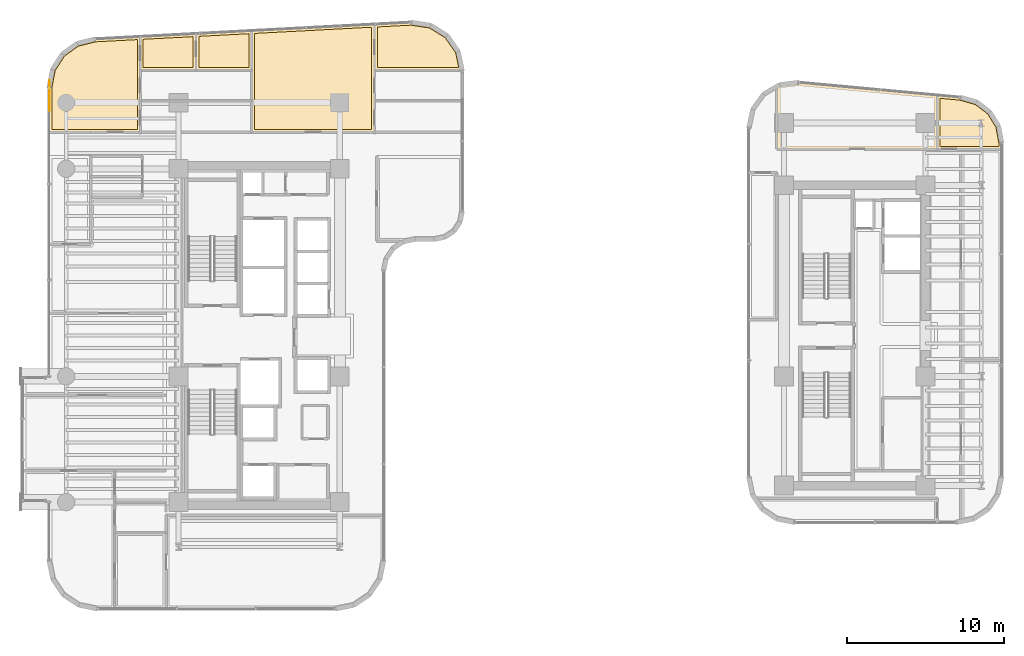
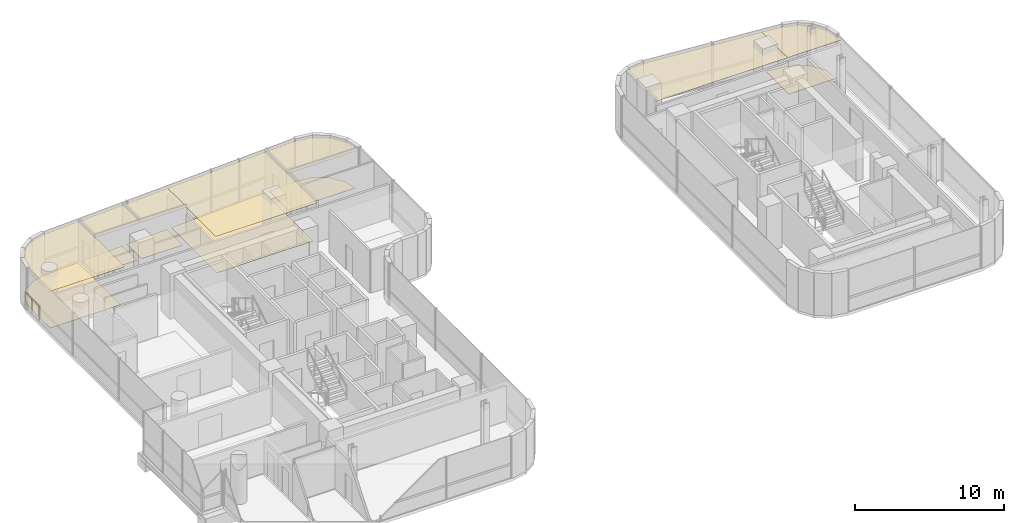
# One storey, part 34 of 34: 13 coverings, 1 railing.
"""IFC4 building model written with IfcOpenShell, lengths in metres."""

from ifc_helpers import new_model, si_unit, direction, frame, origin, origin_2d, place, context, subcontext, project, spatial, polyline, circle, outline, extrude, material, layer, layer_set, type_object, element, save


model = new_model("IFC4")

# Units and contexts
model_context = context("Model", 3, precision=1e-05, world=origin(), true_north=direction((0.0, 1.0)))
body_context = subcontext(model_context, "Body", "Model", "MODEL_VIEW")
ifc_project = project(units=[si_unit("LENGTHUNIT", "METRE"), si_unit("AREAUNIT", "SQUARE_METRE"), si_unit("VOLUMEUNIT", "CUBIC_METRE"), si_unit("PLANEANGLEUNIT", "RADIAN"), si_unit("MASSUNIT", "GRAM", prefix="KILO")], contexts=[model_context])

# Site, building, storey
site_placement = place(None, origin())
site = spatial("IfcSite", under=ifc_project, at=site_placement, CompositionType="ELEMENT")
building_placement = place(site_placement, origin())
building = spatial("IfcBuilding", under=site, at=building_placement, Name="Valdorenza Pilgrim Sanctuary Tower", CompositionType="ELEMENT")
storey_placement = place(building_placement, frame((0.0, 0.0, 164.89990234375)))
storey = spatial("IfcBuildingStorey", under=building, at=storey_placement, Name="L42", CompositionType="ELEMENT", Elevation=164.89990234375)

# Coverings
ifc_material_1 = material(Name="Micro-perforated acoustic mineral ceiling tile", Category="gypsum")
ifc_layer_1 = layer(ifc_material_1, 0.02490234375, Name="Micro-perforated acoustic mineral ceiling tile")
ifc_layer_set_1 = layer_set([ifc_layer_1], Name="Micro-perforated acoustic mineral ceiling tile")
covering_type_1 = type_object("IfcCoveringType", Name="COV-CLG-ACU", PredefinedType="CEILING", material=ifc_layer_set_1)
covering_1_placement = place(storey_placement, frame((0.0, 0.0, 3.16015625)))
element("IfcCovering", 1, at=covering_1_placement, inside=storey, type_object=covering_type_1, Name="L42 North Family Flat L42-N1 Bedroom 1 Acoustic Ceiling", PredefinedType="CEILING", context=body_context, shape_type="SweptSolid", body=[
    extrude(outline(polyline([(-25.0849609375, 16.85498046875), (-25.08642578125, 16.85498046875), (-25.087890625, 16.855224609375), (-25.08935546875, 16.855712890625), (-25.0908203125, 16.856201171875), (-25.092041015625, 16.856689453125), (-25.09326171875, 16.857421875), (-25.094482421875, 16.8583984375), (-25.095703125, 16.859375), (-25.0966796875, 16.860595703125), (-25.097412109375, 16.86181640625), (-25.09814453125, 16.86279296875), (-25.098876953125, 16.8642578125), (-25.099365234375, 16.865478515625), (-25.099609375, 16.8671875), (-25.099853515625, 16.868408203125), (-25.10009765625, 16.8701171875), (-25.10009765625, 19.002197265625), (-25.099853515625, 19.00390625), (-25.099609375, 19.00537109375), (-25.099365234375, 19.0068359375), (-25.098876953125, 19.00830078125), (-25.09814453125, 19.009521484375), (-25.097412109375, 19.010986328125), (-25.096435546875, 19.01220703125), (-25.09521484375, 19.01318359375), (-25.09423828125, 19.01416015625), (-25.093017578125, 19.014892578125), (-25.091552734375, 19.015869140625), (-25.090087890625, 19.016357421875), (-25.0888671875, 19.016845703125), (-25.08740234375, 19.01708984375), (-25.085693359375, 19.017333984375), (-21.543212890625, 19.204345703125), (-21.5419921875, 19.204345703125), (-21.540283203125, 19.204345703125), (-21.5390625, 19.2041015625), (-21.53759765625, 19.20361328125), (-21.536376953125, 19.203125), (-21.534912109375, 19.202392578125), (-21.53369140625, 19.20166015625), (-21.53271484375, 19.20068359375), (-21.53173828125, 19.19970703125), (-21.53076171875, 19.19873046875), (-21.52978515625, 19.197509765625), (-21.529296875, 19.1962890625), (-21.528564453125, 19.195068359375), (-21.528076171875, 19.193603515625), (-21.52783203125, 19.1923828125), (-21.527587890625, 19.19091796875), (-21.527587890625, 19.189453125), (-21.527587890625, 16.8701171875), (-21.527587890625, 16.868408203125), (-21.52783203125, 16.8671875), (-21.528076171875, 16.865478515625), (-21.528564453125, 16.8642578125), (-21.529296875, 16.86279296875), (-21.530029296875, 16.86181640625), (-21.531005859375, 16.860595703125), (-21.531982421875, 16.859375), (-21.532958984375, 16.8583984375), (-21.5341796875, 16.857421875), (-21.535400390625, 16.856689453125), (-21.536865234375, 16.856201171875), (-21.5380859375, 16.855712890625), (-21.53955078125, 16.855224609375), (-21.541015625, 16.85498046875), (-21.54248046875, 16.85498046875), (-25.0849609375, 16.85498046875)])), origin(), (0.0, 0.0, 1.0), 0.02490234375),
])
covering_2_placement = place(storey_placement, frame((0.0, 0.0, 3.16015625)))
element("IfcCovering", 2, at=covering_2_placement, inside=storey, type_object=covering_type_1, Name="L42 North Family Flat L42-N1 Bedroom 2 Acoustic Ceiling", PredefinedType="CEILING", context=body_context, shape_type="SweptSolid", body=[
    extrude(outline(polyline([(-21.555419921875, 19.189453125), (-21.555419921875, 19.190185546875), (-21.555419921875, 19.19189453125), (-21.55517578125, 19.193115234375), (-21.5546875, 19.194580078125), (-21.55419921875, 19.196044921875), (-21.553466796875, 19.197265625), (-21.552490234375, 19.198486328125), (-21.551513671875, 19.19970703125), (-21.550537109375, 19.20068359375), (-21.549560546875, 19.20166015625), (-21.548095703125, 19.202392578125), (-21.547119140625, 19.203125), (-21.545654296875, 19.20361328125), (-21.544189453125, 19.2041015625), (-21.542724609375, 19.204345703125), (-21.541259765625, 19.20458984375), (-18.0009765625, 19.3916015625), (-18.0, 19.3916015625), (-18.0, 19.3916015625), (-17.99853515625, 19.3916015625), (-17.9970703125, 19.391357421875), (-17.99560546875, 19.39111328125), (-17.994384765625, 19.390380859375), (-17.992919921875, 19.389892578125), (-17.99169921875, 19.38916015625), (-17.990478515625, 19.38818359375), (-17.989501953125, 19.38720703125), (-17.98828125, 19.385986328125), (-17.987548828125, 19.385009765625), (-17.98681640625, 19.3837890625), (-17.986083984375, 19.38232421875), (-17.985595703125, 19.381103515625), (-17.9853515625, 19.37939453125), (-17.985107421875, 19.378173828125), (-17.985107421875, 19.376708984375), (-17.985107421875, 16.8701171875), (-17.985107421875, 16.868408203125), (-17.9853515625, 16.8671875), (-17.985595703125, 16.865478515625), (-17.986083984375, 16.8642578125), (-17.98681640625, 16.86279296875), (-17.987548828125, 16.86181640625), (-17.98828125, 16.860595703125), (-17.989501953125, 16.859375), (-17.990478515625, 16.8583984375), (-17.99169921875, 16.857421875), (-17.992919921875, 16.856689453125), (-17.994384765625, 16.856201171875), (-17.99560546875, 16.855712890625), (-17.9970703125, 16.855224609375), (-17.99853515625, 16.85498046875), (-18.0, 16.85498046875), (-21.54052734375, 16.85498046875), (-21.5419921875, 16.85498046875), (-21.54345703125, 16.855224609375), (-21.544921875, 16.855712890625), (-21.546142578125, 16.856201171875), (-21.547607421875, 16.856689453125), (-21.548828125, 16.857421875), (-21.550048828125, 16.8583984375), (-21.551025390625, 16.859375), (-21.552001953125, 16.860595703125), (-21.552978515625, 16.86181640625), (-21.5537109375, 16.86279296875), (-21.554443359375, 16.8642578125), (-21.554931640625, 16.865478515625), (-21.55517578125, 16.8671875), (-21.555419921875, 16.868408203125), (-21.555419921875, 16.8701171875), (-21.555419921875, 19.189453125), (-21.555419921875, 19.189453125)])), origin(), (0.0, 0.0, 1.0), 0.02490234375),
])
covering_3_placement = place(storey_placement, frame((0.0, 0.0, 3.16015625)))
element("IfcCovering", 3, at=covering_3_placement, inside=storey, type_object=covering_type_1, Name="L42 North Family Flat L42-N1 Living Room Acoustic Ceiling", PredefinedType="CEILING", context=body_context, shape_type="SweptSolid", body=[
    extrude(outline(polyline([(-30.889892578125, 12.905029296875), (-30.8916015625, 12.905029296875), (-30.892822265625, 12.9052734375), (-30.894287109375, 12.905517578125), (-30.895751953125, 12.906005859375), (-30.897216796875, 12.90673828125), (-30.898193359375, 12.907470703125), (-30.8994140625, 12.908447265625), (-30.900634765625, 12.909423828125), (-30.901611328125, 12.910400390625), (-30.902587890625, 12.91162109375), (-30.9033203125, 12.912841796875), (-30.90380859375, 12.914306640625), (-30.904296875, 12.91552734375), (-30.90478515625, 12.9169921875), (-30.90478515625, 12.91845703125), (-30.905029296875, 12.919921875), (-30.905029296875, 15.754150390625), (-30.90478515625, 15.755615234375), (-30.90478515625, 15.757080078125), (-30.68310546875, 16.911376953125), (-30.6826171875, 16.912841796875), (-30.68212890625, 16.914306640625), (-30.681640625, 16.91552734375), (-30.680908203125, 16.916748046875), (-30.052978515625, 17.897705078125), (-30.05224609375, 17.89892578125), (-30.05126953125, 17.89990234375), (-30.05029296875, 17.90087890625), (-30.04931640625, 17.90185546875), (-29.102294921875, 18.580810546875), (-29.101318359375, 18.58154296875), (-29.10009765625, 18.58203125), (-29.0986328125, 18.58251953125), (-29.097412109375, 18.5830078125), (-27.9560546875, 18.865478515625), (-27.954833984375, 18.865478515625), (-27.953369140625, 18.86572265625), (-25.087890625, 19.01708984375), (-25.08642578125, 19.01708984375), (-25.0849609375, 19.01708984375), (-25.08349609375, 19.016845703125), (-25.082275390625, 19.016357421875), (-25.080810546875, 19.015869140625), (-25.07958984375, 19.01513671875), (-25.078369140625, 19.014404296875), (-25.0771484375, 19.013671875), (-25.076171875, 19.0126953125), (-25.0751953125, 19.011474609375), (-25.074462890625, 19.01025390625), (-25.07373046875, 19.009033203125), (-25.072998046875, 19.0078125), (-25.072509765625, 19.00634765625), (-25.072265625, 19.0048828125), (-25.072021484375, 19.003662109375), (-25.072021484375, 19.002197265625), (-25.072021484375, 16.87548828125), (-25.07177734375, 16.875), (-25.071044921875, 16.87353515625), (-25.070556640625, 16.872314453125), (-25.0703125, 16.870849609375), (-25.070068359375, 16.869384765625), (-25.070068359375, 16.867919921875), (-25.070068359375, 12.919921875), (-25.070068359375, 12.91845703125), (-25.0703125, 12.9169921875), (-25.070556640625, 12.91552734375), (-25.071044921875, 12.914306640625), (-25.07177734375, 12.912841796875), (-25.072509765625, 12.91162109375), (-25.073486328125, 12.910400390625), (-25.074462890625, 12.909423828125), (-25.075439453125, 12.908447265625), (-25.07666015625, 12.907470703125), (-25.077880859375, 12.90673828125), (-25.079345703125, 12.906005859375), (-25.08056640625, 12.905517578125), (-25.08203125, 12.9052734375), (-25.08349609375, 12.905029296875), (-25.0849609375, 12.905029296875), (-30.889892578125, 12.905029296875)])), origin(), (0.0, 0.0, 1.0), 0.02490234375),
])
covering_4_placement = place(storey_placement, frame((0.0, 0.0, 3.16015625)))
element("IfcCovering", 4, at=covering_4_placement, inside=storey, type_object=covering_type_1, Name="L42 North Family Flat L42-N2 Bedroom Acoustic Ceiling", PredefinedType="CEILING", context=body_context, shape_type="SweptSolid", body=[
    extrude(outline(polyline([(-10.20556640625, 19.789306640625), (-10.20556640625, 19.790771484375), (-10.205322265625, 19.792236328125), (-10.204833984375, 19.793701171875), (-10.204345703125, 19.795166015625), (-10.20361328125, 19.79638671875), (-10.202880859375, 19.797607421875), (-10.201904296875, 19.798828125), (-10.200927734375, 19.800048828125), (-10.19970703125, 19.801025390625), (-10.198486328125, 19.802001953125), (-10.197265625, 19.802490234375), (-10.19580078125, 19.80322265625), (-10.1943359375, 19.8037109375), (-10.19287109375, 19.803955078125), (-10.19140625, 19.80419921875), (-7.875, 19.926513671875), (-7.87353515625, 19.926513671875), (-7.871826171875, 19.926513671875), (-6.6298828125, 19.738525390625), (-6.62841796875, 19.73828125), (-6.627197265625, 19.73779296875), (-6.625732421875, 19.737060546875), (-6.624267578125, 19.736328125), (-5.567138671875, 19.079345703125), (-5.56591796875, 19.07861328125), (-5.564697265625, 19.077392578125), (-5.563720703125, 19.076416015625), (-5.562744140625, 19.0751953125), (-4.850830078125, 18.05419921875), (-4.85009765625, 18.052978515625), (-4.849365234375, 18.051513671875), (-4.848876953125, 18.05029296875), (-4.848388671875, 18.048583984375), (-4.606689453125, 16.873046875), (-4.606201171875, 16.87158203125), (-4.606201171875, 16.8701171875), (-4.606201171875, 16.86865234375), (-4.6064453125, 16.8671875), (-4.60693359375, 16.86572265625), (-4.607421875, 16.8642578125), (-4.60791015625, 16.863037109375), (-4.60888671875, 16.86181640625), (-4.609619140625, 16.860595703125), (-4.610595703125, 16.859375), (-4.61181640625, 16.8583984375), (-4.61279296875, 16.857421875), (-4.6142578125, 16.856689453125), (-4.615478515625, 16.856201171875), (-4.616943359375, 16.855712890625), (-4.618408203125, 16.855224609375), (-4.619873046875, 16.85498046875), (-4.621337890625, 16.85498046875), (-10.190673828125, 16.85498046875), (-10.192138671875, 16.85498046875), (-10.193603515625, 16.855224609375), (-10.195068359375, 16.855712890625), (-10.1962890625, 16.856201171875), (-10.19775390625, 16.856689453125), (-10.198974609375, 16.857421875), (-10.2001953125, 16.8583984375), (-10.201171875, 16.859375), (-10.2021484375, 16.860595703125), (-10.203125, 16.86181640625), (-10.203857421875, 16.86279296875), (-10.20458984375, 16.8642578125), (-10.205078125, 16.865478515625), (-10.205322265625, 16.8671875), (-10.20556640625, 16.868408203125), (-10.20556640625, 16.8701171875), (-10.20556640625, 19.789306640625)])), origin(), (0.0, 0.0, 1.0), 0.02490234375),
])
covering_5_placement = place(storey_placement, frame((0.0, 0.0, 3.16015625)))
element("IfcCovering", 5, at=covering_5_placement, inside=storey, type_object=covering_type_1, Name="L42 North Family Flat L42-N2 Living Room Acoustic Ceiling", PredefinedType="CEILING", context=body_context, shape_type="SweptSolid", body=[
    extrude(outline(polyline([(-18.012939453125, 14.918212890625), (-18.01318359375, 14.9189453125), (-18.01318359375, 14.92041015625), (-18.01318359375, 14.922119140625), (-18.01318359375, 14.923583984375), (-18.012939453125, 14.923828125), (-18.012939453125, 16.8662109375), (-18.01318359375, 16.866943359375), (-18.01318359375, 16.868408203125), (-18.01318359375, 16.8701171875), (-18.01318359375, 16.87158203125), (-18.012939453125, 16.871826171875), (-18.012939453125, 19.376708984375), (-18.012939453125, 19.376708984375), (-18.012939453125, 19.37744140625), (-18.0126953125, 19.37890625), (-18.0126953125, 19.38037109375), (-18.01220703125, 19.3818359375), (-18.01171875, 19.383056640625), (-18.010986328125, 19.384521484375), (-18.010009765625, 19.385498046875), (-18.009033203125, 19.38671875), (-18.008056640625, 19.3876953125), (-18.007080078125, 19.388671875), (-18.005615234375, 19.3896484375), (-18.00439453125, 19.390380859375), (-18.003173828125, 19.390869140625), (-18.001708984375, 19.391357421875), (-18.000244140625, 19.3916015625), (-17.998779296875, 19.3916015625), (-10.193359375, 19.80419921875), (-10.19189453125, 19.80419921875), (-10.1904296875, 19.803955078125), (-10.189208984375, 19.8037109375), (-10.187744140625, 19.80322265625), (-10.186279296875, 19.802734375), (-10.18505859375, 19.802001953125), (-10.183837890625, 19.80126953125), (-10.182861328125, 19.80029296875), (-10.181884765625, 19.799560546875), (-10.180908203125, 19.79833984375), (-10.179931640625, 19.797119140625), (-10.17919921875, 19.7958984375), (-10.1787109375, 19.794677734375), (-10.17822265625, 19.793212890625), (-10.177978515625, 19.7919921875), (-10.177734375, 19.79052734375), (-10.177490234375, 19.7890625), (-10.177490234375, 16.87548828125), (-10.17724609375, 16.875), (-10.1767578125, 16.87353515625), (-10.17626953125, 16.872314453125), (-10.17578125, 16.870849609375), (-10.17578125, 16.869384765625), (-10.175537109375, 16.867919921875), (-10.175537109375, 12.919921875), (-10.17578125, 12.91845703125), (-10.17578125, 12.9169921875), (-10.17626953125, 12.91552734375), (-10.1767578125, 12.914306640625), (-10.177490234375, 12.912841796875), (-10.177978515625, 12.91162109375), (-10.178955078125, 12.910400390625), (-10.179931640625, 12.909423828125), (-10.18115234375, 12.908447265625), (-10.182373046875, 12.907470703125), (-10.18359375, 12.90673828125), (-10.184814453125, 12.906005859375), (-10.186279296875, 12.905517578125), (-10.187744140625, 12.9052734375), (-10.189208984375, 12.905029296875), (-10.190673828125, 12.905029296875), (-17.998046875, 12.905029296875), (-17.99951171875, 12.905029296875), (-18.0009765625, 12.9052734375), (-18.00244140625, 12.905517578125), (-18.003662109375, 12.906005859375), (-18.005126953125, 12.90673828125), (-18.00634765625, 12.907470703125), (-18.007568359375, 12.908447265625), (-18.008544921875, 12.909423828125), (-18.009521484375, 12.910400390625), (-18.010498046875, 12.91162109375), (-18.01123046875, 12.912841796875), (-18.011962890625, 12.914306640625), (-18.012451171875, 12.91552734375), (-18.0126953125, 12.9169921875), (-18.012939453125, 12.91845703125), (-18.012939453125, 12.919921875), (-18.012939453125, 14.918212890625)])), origin(), (0.0, 0.0, 1.0), 0.02490234375),
])
covering_6_placement = place(storey_placement, frame((0.0, 0.0, 3.16015625)))
element("IfcCovering", 6, at=covering_6_placement, inside=storey, type_object=covering_type_1, Name="L42 Curator Research Office L42-BN1 Acoustic Ceiling", PredefinedType="CEILING", context=body_context, shape_type="SweptSolid", body=[
    extrude(outline(polyline([(15.39990234375, 11.8349609375), (15.3984375, 11.835205078125), (15.397216796875, 11.835205078125), (15.3955078125, 11.835693359375), (15.394287109375, 11.836181640625), (15.392822265625, 11.8369140625), (15.3916015625, 11.83740234375), (15.390380859375, 11.83837890625), (15.389404296875, 11.83935546875), (15.388427734375, 11.840576171875), (15.387451171875, 11.841796875), (15.38671875, 11.843017578125), (15.385986328125, 11.84423828125), (15.385498046875, 11.845703125), (15.38525390625, 11.84716796875), (15.385009765625, 11.848388671875), (15.385009765625, 11.85009765625), (15.385009765625, 15.84228515625), (15.385009765625, 15.843505859375), (15.38525390625, 15.844970703125), (15.385498046875, 15.846435546875), (15.385986328125, 15.84765625), (15.38671875, 15.84912109375), (15.38720703125, 15.850341796875), (15.38818359375, 15.851318359375), (15.38916015625, 15.8525390625), (15.39013671875, 15.853515625), (15.39111328125, 15.8544921875), (15.392333984375, 15.85498046875), (15.573486328125, 15.961669921875), (15.574951171875, 15.96240234375), (15.576416015625, 15.962890625), (15.577880859375, 15.96337890625), (15.579345703125, 15.963623046875), (16.7744140625, 16.102783203125), (16.776123046875, 16.10302734375), (16.777587890625, 16.102783203125), (25.601318359375, 15.291015625), (25.602783203125, 15.290771484375), (25.604248046875, 15.290283203125), (25.605712890625, 15.289794921875), (25.60693359375, 15.289306640625), (25.6083984375, 15.28857421875), (25.609619140625, 15.28759765625), (25.610595703125, 15.28662109375), (25.611572265625, 15.28564453125), (25.612548828125, 15.284423828125), (25.61328125, 15.283203125), (25.61376953125, 15.28173828125), (25.6142578125, 15.280517578125), (25.61474609375, 15.279052734375), (25.614990234375, 15.277587890625), (25.614990234375, 15.276123046875), (25.614990234375, 11.85009765625), (25.614990234375, 11.848388671875), (25.61474609375, 11.84716796875), (25.614501953125, 11.845703125), (25.614013671875, 11.84423828125), (25.61328125, 11.843017578125), (25.612548828125, 11.841796875), (25.611572265625, 11.840576171875), (25.610595703125, 11.83935546875), (25.609619140625, 11.83837890625), (25.6083984375, 11.83740234375), (25.607177734375, 11.8369140625), (25.605712890625, 11.836181640625), (25.6044921875, 11.835693359375), (25.602783203125, 11.835205078125), (25.6015625, 11.835205078125), (25.60009765625, 11.8349609375), (15.39990234375, 11.8349609375)])), origin(), (0.0, 0.0, 1.0), 0.02490234375),
])
covering_7_placement = place(storey_placement, frame((0.0, 0.0, 3.16015625)))
element("IfcCovering", 7, at=covering_7_placement, inside=storey, type_object=covering_type_1, Name="L42 East Wing Reference Library L42-BNE Acoustic Ceiling", PredefinedType="CEILING", context=body_context, shape_type="SweptSolid", body=[
    extrude(outline(polyline([(27.055908203125, 15.156982421875), (27.057373046875, 15.156982421875), (27.058837890625, 15.156494140625), (28.090087890625, 14.86376953125), (28.091552734375, 14.86328125), (28.0927734375, 14.86279296875), (28.093994140625, 14.862060546875), (28.09521484375, 14.861328125), (28.94287109375, 14.2216796875), (28.94384765625, 14.220947265625), (28.94482421875, 14.219970703125), (28.94580078125, 14.21875), (28.946533203125, 14.2177734375), (29.505615234375, 13.315185546875), (29.50634765625, 13.313720703125), (29.5068359375, 13.3125), (29.50732421875, 13.311279296875), (29.507568359375, 13.309814453125), (29.70458984375, 12.256103515625), (29.704833984375, 12.254638671875), (29.705078125, 12.253173828125), (29.705078125, 11.85009765625), (29.704833984375, 11.848388671875), (29.70458984375, 11.84716796875), (29.704345703125, 11.845703125), (29.703857421875, 11.84423828125), (29.703125, 11.843017578125), (29.702392578125, 11.841796875), (29.70166015625, 11.840576171875), (29.70068359375, 11.83935546875), (29.699462890625, 11.83837890625), (29.6982421875, 11.83740234375), (29.697021484375, 11.8369140625), (29.69580078125, 11.836181640625), (29.6943359375, 11.835693359375), (29.69287109375, 11.835205078125), (29.69140625, 11.835205078125), (29.68994140625, 11.8349609375), (25.60205078125, 11.8349609375), (25.6005859375, 11.835205078125), (25.59912109375, 11.835205078125), (25.59765625, 11.835693359375), (25.59619140625, 11.836181640625), (25.594970703125, 11.8369140625), (25.59375, 11.83740234375), (25.592529296875, 11.83837890625), (25.59130859375, 11.83935546875), (25.59033203125, 11.840576171875), (25.589599609375, 11.841796875), (25.5888671875, 11.843017578125), (25.588134765625, 11.84423828125), (25.587646484375, 11.845703125), (25.58740234375, 11.84716796875), (25.587158203125, 11.848388671875), (25.5869140625, 11.85009765625), (25.5869140625, 15.27587890625), (25.587158203125, 15.27734375), (25.58740234375, 15.27880859375), (25.587646484375, 15.2802734375), (25.588134765625, 15.281494140625), (25.5888671875, 15.282958984375), (25.589599609375, 15.2841796875), (25.59033203125, 15.285400390625), (25.59130859375, 15.286376953125), (25.59228515625, 15.287353515625), (25.593505859375, 15.288330078125), (25.594970703125, 15.2890625), (25.59619140625, 15.289794921875), (25.59765625, 15.290283203125), (25.59912109375, 15.29052734375), (25.600341796875, 15.290771484375), (25.601806640625, 15.291015625), (25.603515625, 15.290771484375), (27.055908203125, 15.156982421875)])), origin(), (0.0, 0.0, 1.0), 0.02490234375),
])
ifc_material_2 = material(Name="Engineered European oak timber flooring", Category="wood")
ifc_layer_2 = layer(ifc_material_2, 0.02197265625, Name="Engineered European oak timber flooring")
ifc_layer_set_2 = layer_set([ifc_layer_2], Name="Engineered European oak timber flooring")
covering_type_2 = type_object("IfcCoveringType", Name="COV-FLR-OAK", PredefinedType="FLOORING", material=ifc_layer_set_2)
covering_8_placement = place(storey_placement, origin())
element("IfcCovering", 8, at=covering_8_placement, inside=storey, type_object=covering_type_2, Name="L42 North Family Flat L42-N1 Bedroom 1 Flooring", PredefinedType="FLOORING", context=body_context, shape_type="SweptSolid", body=[
    extrude(outline(polyline([(-24.905029296875, 17.050048828125), (-24.905029296875, 18.83154296875), (-21.722412109375, 18.999755859375), (-21.722412109375, 17.050048828125), (-24.905029296875, 17.050048828125)])), origin(), (0.0, 0.0, 1.0), 0.025146484375),
])
covering_9_placement = place(storey_placement, origin())
element("IfcCovering", 9, at=covering_9_placement, inside=storey, type_object=covering_type_2, Name="L42 North Family Flat L42-N1 Bedroom 2 Flooring", PredefinedType="FLOORING", context=body_context, shape_type="SweptSolid", body=[
    extrude(outline(polyline([(-18.179931640625, 17.050048828125), (-21.360595703125, 17.050048828125), (-21.360595703125, 19.018798828125), (-18.18017578125, 19.186767578125), (-18.179931640625, 17.050048828125)])), origin(), (0.0, 0.0, 1.0), 0.025146484375),
])
covering_10_placement = place(storey_placement, origin())
element("IfcCovering", 10, at=covering_10_placement, inside=storey, type_object=covering_type_2, Name="L42 North Family Flat L42-N1 Living Room Flooring", PredefinedType="FLOORING", context=body_context, shape_type="SweptSolid", body=[
    extrude(outline(polyline([(-30.7099609375, 13.10009765625), (-30.7099609375, 15.737060546875), (-30.498046875, 16.8408203125), (-29.907470703125, 17.763671875), (-29.016845703125, 18.402099609375), (-27.92578125, 18.672119140625), (-25.26708984375, 18.8125), (-25.26708984375, 16.8701171875), (-25.26513671875, 13.10009765625), (-30.7099609375, 13.10009765625)])), origin(), (0.0, 0.0, 1.0), 0.025146484375),
])
covering_11_placement = place(storey_placement, origin())
element("IfcCovering", 11, at=covering_11_placement, inside=storey, type_object=covering_type_2, Name="L42 North Family Flat L42-N2 Bedroom Flooring", PredefinedType="FLOORING", context=body_context, shape_type="SweptSolid", body=[
    extrude(outline(polyline([(-10.010498046875, 19.618408203125), (-7.883056640625, 19.730712890625), (-6.69580078125, 19.55126953125), (-5.70166015625, 18.933349609375), (-5.031982421875, 17.97314453125), (-4.842041015625, 17.050048828125), (-10.010498046875, 17.050048828125), (-10.010498046875, 19.618408203125)])), origin(), (0.0, 0.0, 1.0), 0.025146484375),
])
covering_12_placement = place(storey_placement, origin())
element("IfcCovering", 12, at=covering_12_placement, inside=storey, type_object=covering_type_2, Name="L42 North Family Flat L42-N2 Living Room Flooring", PredefinedType="FLOORING", context=body_context, shape_type="SweptSolid", body=[
    extrude(outline(polyline([(-17.818115234375, 14.921630859375), (-17.818115234375, 14.922119140625), (-17.818115234375, 16.867919921875), (-17.818115234375, 16.868896484375), (-17.818115234375, 16.86962890625), (-17.818115234375, 16.8701171875), (-17.818115234375, 19.205810546875), (-10.37255859375, 19.599365234375), (-10.37255859375, 16.8701171875), (-10.37060546875, 13.10009765625), (-17.818115234375, 13.10009765625), (-17.818115234375, 14.919921875), (-17.818115234375, 14.9208984375), (-17.818115234375, 14.921630859375)])), origin(), (0.0, 0.0, 1.0), 0.025146484375),
])
ifc_material_3 = material(Name="Honed travertine stone flooring", Category="masonry")
ifc_layer_3 = layer(ifc_material_3, 0.030029296875, Name="Honed travertine stone flooring")
ifc_layer_set_3 = layer_set([ifc_layer_3], Name="Honed travertine stone flooring")
covering_type_3 = type_object("IfcCoveringType", Name="COV-FLR-TRV", PredefinedType="FLOORING", material=ifc_layer_set_3)
covering_13_placement = place(storey_placement, origin())
element("IfcCovering", 13, at=covering_13_placement, inside=storey, type_object=covering_type_3, Name="L42 East Wing Reference Library L42-BNE Flooring", PredefinedType="FLOORING", context=body_context, shape_type="SweptSolid", body=[
    extrude(outline(polyline([(27.021484375, 14.964599609375), (28.00439453125, 14.685302734375), (28.79833984375, 14.08642578125), (29.322021484375, 13.240966796875), (29.510009765625, 12.236572265625), (29.510009765625, 12.030029296875), (25.781982421875, 12.030029296875), (25.781982421875, 15.07861328125), (27.021484375, 14.964599609375)])), origin(), (0.0, 0.0, 1.0), 0.025146484375),
])

# Railing
ifc_material_4 = material(Name="Stainless steel Grade 316", Category="steel")
railing_type = type_object("IfcRailingType", Name="RLG-GRD-1120", PredefinedType="GUARDRAIL", material=ifc_material_4)
railing_placement = place(storey_placement, frame((-30.860107421875, 14.300048828125, 0.0)))
element("IfcRailing", 14, at=railing_placement, inside=storey, type_object=railing_type, Name="L42 NW Tangent Safety Sill Guard", PredefinedType="GUARDRAIL", context=body_context, shape_type="SweptSolid", body=[
    extrude(circle(Radius=0.02392578125, at=origin_2d()), frame((0.0, 0.0, 1.17578125), z_axis=(0.0, 1.0, 0.0), x_axis=(-1.0, 0.0, 0.0)), (0.0, 0.0, 1.0), 1.89990234375),
    extrude(circle(Radius=0.02099609375, at=origin_2d()), origin(), (0.0, 0.0, 1.0), 1.15185546875),
    extrude(circle(Radius=0.02099609375, at=origin_2d()), frame((0.0, 0.949951171875, 0.0)), (0.0, 0.0, 1.0), 1.15185546875),
    extrude(circle(Radius=0.02099609375, at=origin_2d()), frame((0.0, 1.89990234375, 0.0)), (0.0, 0.0, 1.0), 1.15185546875),
])

save(model, "model.ifc")
